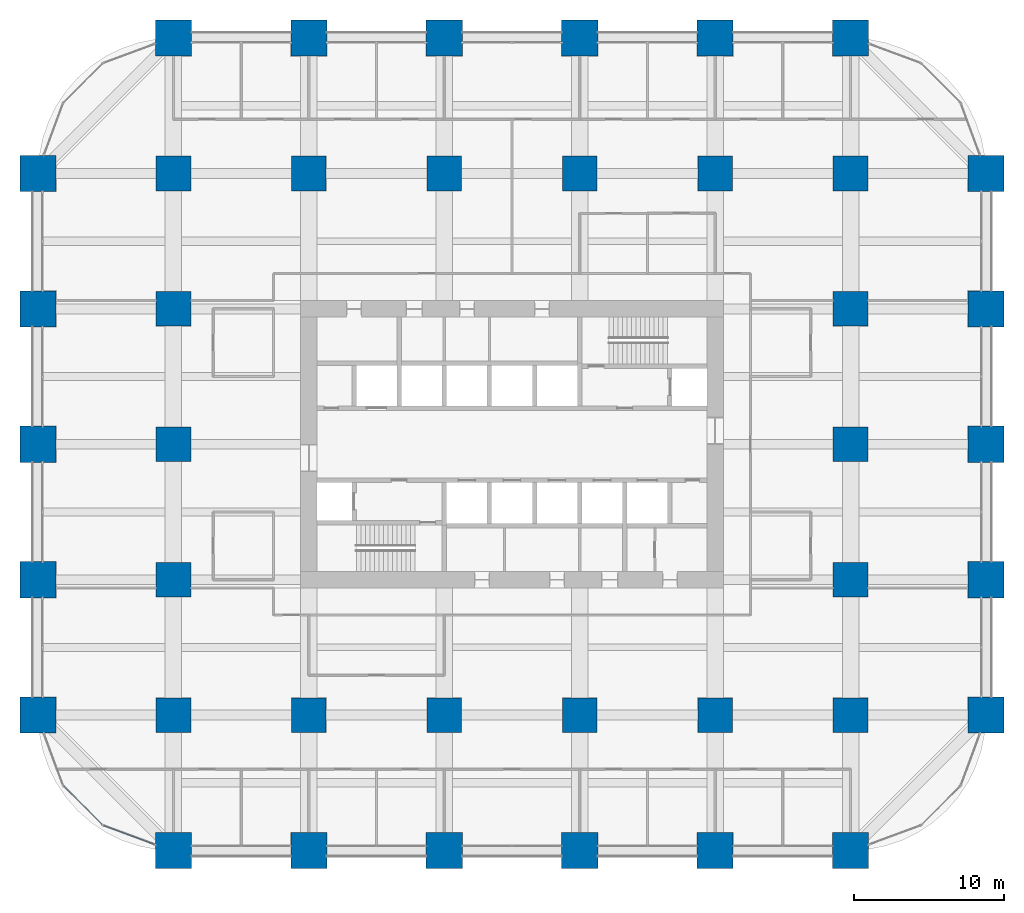
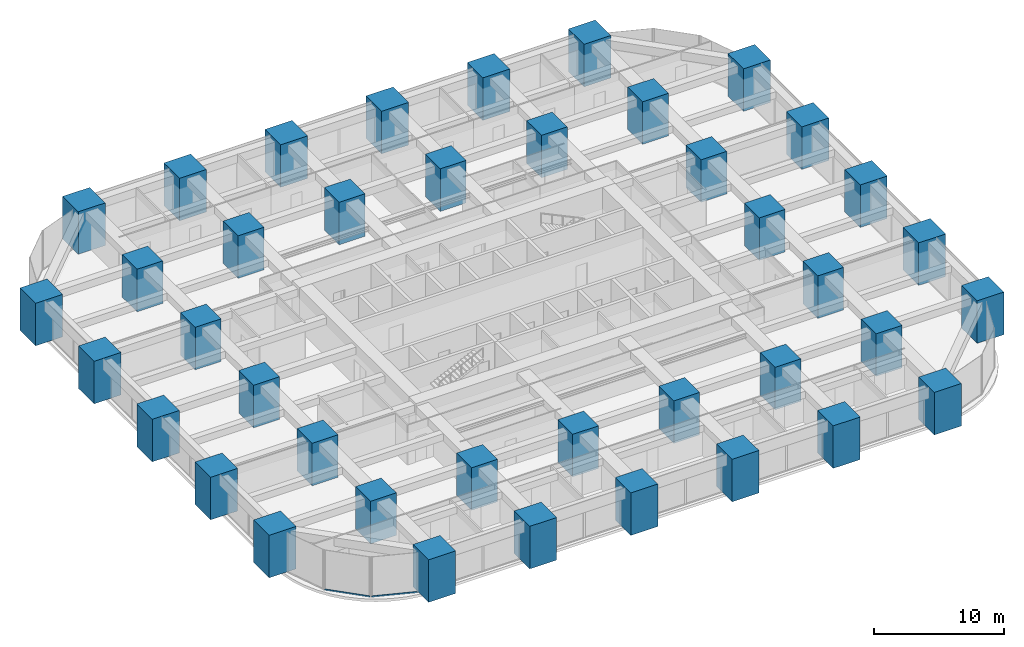
# One storey, part 1 of 45: 40 columns, 2 members, 2 elements without a shape of their own.
"""IFC4 building model written with IfcOpenShell, lengths in metres."""

from ifc_helpers import new_model, si_unit, direction, frame, origin, origin_2d, place, context, subcontext, project, spatial, rectangle, hollow_rectangle, extrude, material, material_profile, profile_set, type_object, element, aggregate, save


model = new_model("IFC4")

# Units and contexts
model_context = context("Model", 3, precision=1e-05, world=origin(), true_north=direction((0.0, 1.0)))
body_context = subcontext(model_context, "Body", "Model", "MODEL_VIEW")
ifc_project = project(units=[si_unit("LENGTHUNIT", "METRE"), si_unit("AREAUNIT", "SQUARE_METRE"), si_unit("VOLUMEUNIT", "CUBIC_METRE"), si_unit("PLANEANGLEUNIT", "RADIAN"), si_unit("MASSUNIT", "GRAM", prefix="KILO")], contexts=[model_context])

# Site, building, storey
site_placement = place(None, origin())
site = spatial("IfcSite", under=ifc_project, at=site_placement, CompositionType="ELEMENT")
building_placement = place(site_placement, origin())
building = spatial("IfcBuilding", under=site, at=building_placement, Name="Zorevar Civic Tower", CompositionType="ELEMENT")
storey_placement = place(building_placement, frame((0.0, 0.0, 47.800048828125)))
storey = spatial("IfcBuildingStorey", under=building, at=storey_placement, Name="L11", CompositionType="ELEMENT", Elevation=47.800048828125)

# Columns
ifc_material_1 = material(Name="Concrete C50/60", Category="concrete")
ifc_material_profile_1 = material_profile(ifc_material_1, rectangle(XDim=2.300048828125, YDim=2.300048828125, at=origin_2d()), Name="RC 2300x2300")
ifc_profile_set_1 = profile_set([ifc_material_profile_1], Name="Concrete C50/60")
column_type_1 = type_object("IfcColumnType", Name="Column RC 2300x2300", PredefinedType="COLUMN", material=ifc_profile_set_1)
for number, where, z_axis, x_axis, name in (
    (1, (9.0, 9.0, 0.0), (0.0, 0.0, 1.0), (1.0, 0.0, 0.0), "Column 3B L11"),
    (2, (9.0, 18.0, 0.0), (0.0, 0.0, 1.0), (1.0, 0.0, 0.0), "Column 3C L11"),
    (3, (9.0, 27.0, 0.0), (0.0, 0.0, 1.0), (1.0, 0.0, 0.0), "Column 3D L11"),
    (4, (9.0, 36.0, 0.0), (0.0, 0.0, 1.0), (1.0, 0.0, 0.0), "Column 3E L11"),
    (5, (9.0, 45.0, 0.0), (0.0, 0.0, 1.0), (1.0, 0.0, 0.0), "Column 3F L11"),
    (6, (18.0, 9.0, 0.0), (0.0, 0.0, 1.0), (1.0, 0.0, 0.0), "Column 4B L11"),
    (7, (18.0, 45.0, 0.0), (0.0, 0.0, 1.0), (1.0, 0.0, 0.0), "Column 4F L11"),
    (8, (27.0, 9.0, 0.0), (0.0, 0.0, 1.0), (1.0, 0.0, 0.0), "Column 5B L11"),
    (9, (27.0, 45.0, 0.0), (0.0, 0.0, 1.0), (1.0, 0.0, 0.0), "Column 5F L11"),
    (10, (36.0, 9.0, 0.0), (0.0, 0.0, 1.0), (1.0, 0.0, 0.0), "Column 6B L11"),
    (11, (36.0, 45.0, 0.0), (0.0, 0.0, 1.0), (1.0, 0.0, 0.0), "Column 6F L11"),
    (12, (45.0, 9.0, 0.0), (0.0, 0.0, 1.0), (1.0, 0.0, 0.0), "Column 7B L11"),
    (13, (45.0, 45.0, 0.0), (0.0, 0.0, 1.0), (1.0, 0.0, 0.0), "Column 7F L11"),
    (14, (54.0, 9.0, 0.0), (0.0, 0.0, 1.0), (1.0, 0.0, 0.0), "Column 8B L11"),
    (15, (54.0, 18.0, 0.0), (0.0, 0.0, 1.0), (1.0, 0.0, 0.0), "Column 8C L11"),
    (16, (54.0, 27.0, 0.0), (0.0, 0.0, 1.0), (1.0, 0.0, 0.0), "Column 8D L11"),
    (17, (54.0, 36.0, 0.0), (0.0, 0.0, 1.0), (1.0, 0.0, 0.0), "Column 8E L11"),
    (18, (54.0, 45.0, 0.0), (0.0, 0.0, 1.0), (1.0, 0.0, 0.0), "Column 8F L11"),
):
    element("IfcColumn", number, at=place(storey_placement, frame(where, z_axis=z_axis, x_axis=x_axis)), inside=storey, type_object=column_type_1, Name=name, PredefinedType="COLUMN", context=body_context, shape_type="SweptSolid", body=[
        extrude(rectangle(XDim=2.300048828125, YDim=2.300048828125, at=origin_2d()), origin(), (0.0, 0.0, 1.0), 4.0),
    ])
ifc_material_2 = material(Name="Concrete C50/60", Category="concrete")
ifc_material_profile_2 = material_profile(ifc_material_2, rectangle(XDim=2.39990234375, YDim=2.39990234375, at=origin_2d()), Name="RC 2400x2400")
ifc_profile_set_2 = profile_set([ifc_material_profile_2], Name="Concrete C50/60")
column_type_2 = type_object("IfcColumnType", Name="Column RC 2400x2400", PredefinedType="COLUMN", material=ifc_profile_set_2)
for number, where, z_axis, x_axis, name in (
    (19, (0.0, 9.0, 0.0), (0.0, 0.0, 1.0), (1.0, 0.0, 0.0), "Column 2B L11"),
    (20, (0.0, 18.0, 0.0), (0.0, 0.0, 1.0), (1.0, 0.0, 0.0), "Column 2C L11"),
    (21, (0.0, 27.0, 0.0), (0.0, 0.0, 1.0), (1.0, 0.0, 0.0), "Column 2D L11"),
    (22, (0.0, 36.0, 0.0), (0.0, 0.0, 1.0), (1.0, 0.0, 0.0), "Column 2E L11"),
    (23, (0.0, 45.0, 0.0), (0.0, 0.0, 1.0), (1.0, 0.0, 0.0), "Column 2F L11"),
    (24, (9.0, 0.0, 0.0), (0.0, 0.0, 1.0), (1.0, 0.0, 0.0), "Column 3A L11"),
    (25, (9.0, 54.0, 0.0), (0.0, 0.0, 1.0), (1.0, 0.0, 0.0), "Column 3G L11"),
    (26, (18.0, 0.0, 0.0), (0.0, 0.0, 1.0), (1.0, 0.0, 0.0), "Column 4A L11"),
    (27, (18.0, 54.0, 0.0), (0.0, 0.0, 1.0), (1.0, 0.0, 0.0), "Column 4G L11"),
    (28, (27.0, 0.0, 0.0), (0.0, 0.0, 1.0), (1.0, 0.0, 0.0), "Column 5A L11"),
    (29, (27.0, 54.0, 0.0), (0.0, 0.0, 1.0), (1.0, 0.0, 0.0), "Column 5G L11"),
    (30, (36.0, 0.0, 0.0), (0.0, 0.0, 1.0), (1.0, 0.0, 0.0), "Column 6A L11"),
    (31, (36.0, 54.0, 0.0), (0.0, 0.0, 1.0), (1.0, 0.0, 0.0), "Column 6G L11"),
    (32, (45.0, 0.0, 0.0), (0.0, 0.0, 1.0), (1.0, 0.0, 0.0), "Column 7A L11"),
    (33, (45.0, 54.0, 0.0), (0.0, 0.0, 1.0), (1.0, 0.0, 0.0), "Column 7G L11"),
    (34, (54.0, 0.0, 0.0), (0.0, 0.0, 1.0), (1.0, 0.0, 0.0), "Column 8A L11"),
    (35, (54.0, 54.0, 0.0), (0.0, 0.0, 1.0), (1.0, 0.0, 0.0), "Column 8G L11"),
    (36, (63.0, 9.0, 0.0), (0.0, 0.0, 1.0), (1.0, 0.0, 0.0), "Column 9B L11"),
    (37, (63.0, 18.0, 0.0), (0.0, 0.0, 1.0), (1.0, 0.0, 0.0), "Column 9C L11"),
    (38, (63.0, 27.0, 0.0), (0.0, 0.0, 1.0), (1.0, 0.0, 0.0), "Column 9D L11"),
    (39, (63.0, 36.0, 0.0), (0.0, 0.0, 1.0), (1.0, 0.0, 0.0), "Column 9E L11"),
    (40, (63.0, 45.0, 0.0), (0.0, 0.0, 1.0), (1.0, 0.0, 0.0), "Column 9F L11"),
):
    element("IfcColumn", number, at=place(storey_placement, frame(where, z_axis=z_axis, x_axis=x_axis)), inside=storey, type_object=column_type_2, Name=name, PredefinedType="COLUMN", context=body_context, shape_type="SweptSolid", body=[
        extrude(rectangle(XDim=2.39990234375, YDim=2.39990234375, at=origin_2d()), origin(), (0.0, 0.0, 1.0), 4.0),
    ])

# Curtain wall, member
ifc_material_3 = material(Name="Dark grey solar-control glass in black aluminium frame", Category="aluminium")
curtain_wall_type = type_object("IfcCurtainWallType", Name="Curtain wall CW2 low zone", PredefinedType="NOTDEFINED", material=ifc_material_3)
curtain_wall_1_placement = place(storey_placement, origin())
curtain_wall_1 = element("IfcCurtainWall", 41, at=curtain_wall_1_placement, inside=storey, type_object=curtain_wall_type, Name="CW2 L11", PredefinedType="NOTDEFINED")
ifc_material_4 = material(Name="Aluminium, black anodised", Category="aluminium")
ifc_material_profile_3 = material_profile(ifc_material_4, hollow_rectangle(XDim=0.06005859375, YDim=0.14990234375, WallThickness=0.00390625, at=origin_2d()), Name="AL 150x60x4")
ifc_profile_set_3 = profile_set([ifc_material_profile_3], Name="Aluminium, black anodised")
member_type = type_object("IfcMemberType", Name="CW2 transom AL 150x60x4", PredefinedType="USERDEFINED", material=ifc_profile_set_3)
member_1_placement = place(storey_placement, frame((1.716552734375, 4.264892578125, 0.030029296875), z_axis=(0.707106781187, -0.707106781187, 0.0), x_axis=(0.707106781187, 0.707106781187, 0.0)))
member_1 = element("IfcMember", 42, at=member_1_placement, type_object=member_type, Name="CW2 sill transom", ObjectType="TRANSOM", PredefinedType="USERDEFINED", context=body_context, shape_type="SweptSolid", body=[
    extrude(hollow_rectangle(XDim=0.06005859375, YDim=0.14990234375, WallThickness=0.00390625, at=origin_2d()), origin(), (0.0, 0.0, 1.0), 3.60400390625),
])
aggregate(curtain_wall_1, [member_1])

curtain_wall_2_placement = place(storey_placement, origin())
curtain_wall_2 = element("IfcCurtainWall", 43, at=curtain_wall_2_placement, inside=storey, type_object=curtain_wall_type, Name="CW2 L11", PredefinedType="NOTDEFINED")
member_2_placement = place(storey_placement, frame((4.363525390625, 1.6533203125, 0.030029296875), z_axis=(0.93798635741, -0.346672169799, 0.0), x_axis=(0.346672169799, 0.93798635741, 0.0)))
member_2 = element("IfcMember", 44, at=member_2_placement, type_object=member_type, Name="CW2 sill transom", ObjectType="TRANSOM", PredefinedType="USERDEFINED", context=body_context, shape_type="SweptSolid", body=[
    extrude(hollow_rectangle(XDim=0.06005859375, YDim=0.14990234375, WallThickness=0.00390625, at=origin_2d()), origin(), (0.0, 0.0, 1.0), 3.603515625),
])
aggregate(curtain_wall_2, [member_2])

save(model, "model.ifc")
